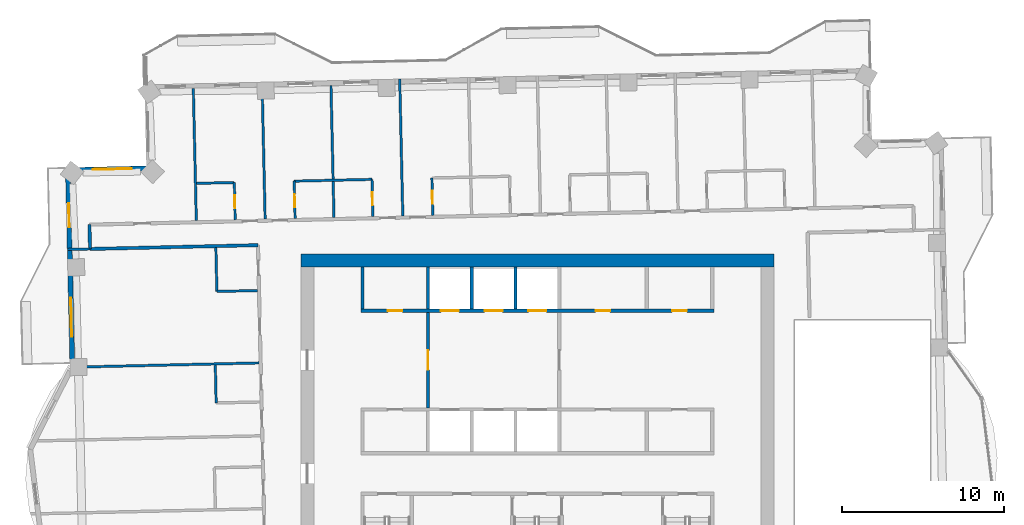
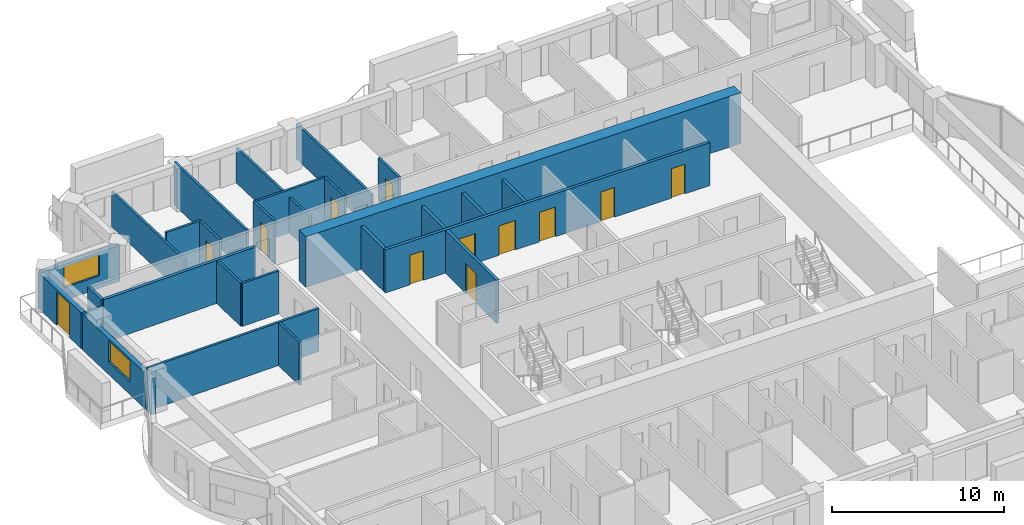
# One storey, part 10 of 17: 26 walls, 12 doors, 2 windows, 14 openings.
"""IFC4 building model written with IfcOpenShell, lengths in metres."""

from ifc_helpers import new_model, si_unit, direction, frame, frame_2d, origin, place, context, subcontext, project, spatial, rectangle, extrude, material, layer, layer_set, type_object, element, fill, save


model = new_model("IFC4")

# Units and contexts
model_context = context("Model", 3, precision=1e-05, world=origin(), true_north=direction((0.0, 1.0)))
body_context = subcontext(model_context, "Body", "Model", "MODEL_VIEW")
ifc_project = project(units=[si_unit("LENGTHUNIT", "METRE"), si_unit("AREAUNIT", "SQUARE_METRE"), si_unit("VOLUMEUNIT", "CUBIC_METRE"), si_unit("PLANEANGLEUNIT", "RADIAN"), si_unit("MASSUNIT", "GRAM", prefix="KILO")], contexts=[model_context])

# Site, building, storey
site_placement = place(None, origin())
site = spatial("IfcSite", under=ifc_project, at=site_placement, CompositionType="ELEMENT")
building_placement = place(site_placement, origin())
building = spatial("IfcBuilding", under=site, at=building_placement, Name="Mangrove Gate Tower", CompositionType="ELEMENT")
storey_placement = place(building_placement, frame((0.0, 0.0, 249.10009765625)))
storey = spatial("IfcBuildingStorey", under=building, at=storey_placement, Name="L63", CompositionType="ELEMENT", Elevation=249.10009765625)

# Wall, opening, door
ifc_material_1 = material(Name="Concrete C32/40", Category="concrete")
ifc_layer_1 = layer(ifc_material_1, 0.199951171875)
ifc_layer_set_1 = layer_set([ifc_layer_1], Name="Core lobby wall 200 C32/40")
wall_type_1 = type_object("IfcWallType", Name="Core lobby wall 200 C32/40", PredefinedType="STANDARD", material=ifc_layer_set_1)
wall_1_placement = place(storey_placement, frame((-6.75, 2.10009765625, 0.0), z_axis=(0.0, 0.0, 1.0), x_axis=(0.0, 1.0, 0.0)))
wall_1 = element("IfcWall", 1, at=wall_1_placement, inside=storey, type_object=wall_type_1, Name="WALL-L63-CORE-33", PredefinedType="STANDARD", context=body_context, shape_type="SweptSolid", body=[
    extrude(rectangle(XDim=5.89990234375, YDim=0.199951171875, at=frame_2d((2.949951171875, 0.0))), origin(), (0.0, 0.0, 1.0), 3.0498046875),
])
opening_1_placement = place(wall_1_placement, frame((2.35009765625, 0.0, 0.0)))
opening_1 = element("IfcOpeningElement", 2, at=opening_1_placement, cuts=wall_1, Name="Opening FL12", PredefinedType="OPENING", context=body_context, shape_type="SweptSolid", body=[
    extrude(rectangle(XDim=1.199951171875, YDim=2.10009765625, at=frame_2d((0.60009765625, 1.050048828125))), frame((0.0, 0.10986328125, 0.0), z_axis=(0.0, -1.0, 0.0), x_axis=(1.0, 0.0, 0.0)), (0.0, 0.0, 1.0), 0.219970703125),
])
ifc_material_2 = material(Name="Fire-rated steel door set", Category="steel")
door_type_1 = type_object("IfcDoorType", Name="Lobby door FD60 1200x2100", OperationType="SINGLE_SWING_LEFT", PredefinedType="DOOR", material=ifc_material_2)
door_1_placement = place(opening_1_placement, origin())
door_1 = element("IfcDoor", 3, at=door_1_placement, inside=storey, type_object=door_type_1, Name="Lobby door lift lobby partition", OperationType="SINGLE_SWING_LEFT", OverallHeight=2.10009765625, OverallWidth=1.199951171875, PredefinedType="DOOR", context=body_context, shape_type="SweptSolid", body=[
    extrude(rectangle(XDim=1.199951171875, YDim=2.10009765625, at=frame_2d((0.60009765625, 1.050048828125))), frame((0.0, 0.02490234375, 0.0), z_axis=(0.0, -1.0, 0.0), x_axis=(1.0, 0.0, 0.0)), (0.0, 0.0, 1.0), 0.050048828125),
])
fill(opening_1, door_1)

# Wall
ifc_material_3 = material(Name="Concrete C32/40", Category="concrete")
ifc_layer_2 = layer(ifc_material_3, 0.199951171875)
ifc_layer_set_2 = layer_set([ifc_layer_2], Name="Core room wall 200 C32/40")
wall_type_2 = type_object("IfcWallType", Name="Core room wall 200 C32/40", PredefinedType="STANDARD", material=ifc_layer_set_2)
wall_2_placement = place(storey_placement, frame((-10.800048828125, 8.199951171875, 0.0), z_axis=(0.0, 0.0, 1.0), x_axis=(0.0, 1.0, 0.0)))
element("IfcWall", 4, at=wall_2_placement, inside=storey, type_object=wall_type_2, Name="WALL-L63-CORE-26", PredefinedType="STANDARD", context=body_context, shape_type="SweptSolid", body=[
    extrude(rectangle(XDim=2.60009765625, YDim=0.199951171875, at=frame_2d((1.300048828125, 0.0))), origin(), (0.0, 0.0, 1.0), 3.0498046875),
])

# Wall, openings, doors
ifc_material_4 = material(Name="Concrete C60/75", Category="concrete")
ifc_layer_3 = layer(ifc_material_4, 0.199951171875)
ifc_layer_set_3 = layer_set([ifc_layer_3], Name="Core shaft wall 200 C60/75")
wall_type_3 = type_object("IfcWallType", Name="Core shaft wall 200 C60/75", PredefinedType="SHEAR", material=ifc_layer_set_3)
wall_3_placement = place(storey_placement, frame((-10.89990234375, 8.10009765625, 0.0), z_axis=(0.0, 0.0, 1.0), x_axis=(1.0, 0.0, 0.0)))
wall_3 = element("IfcWall", 5, at=wall_3_placement, inside=storey, type_object=wall_type_3, Name="WALL-L63-CORE-8", PredefinedType="SHEAR", context=body_context, shape_type="SweptSolid", body=[
    extrude(rectangle(XDim=21.7998046875, YDim=0.199951171875, at=frame_2d((10.89990234375, 0.0))), origin(), (0.0, 0.0, 1.0), 3.0498046875),
])
opening_2_placement = place(wall_3_placement, frame((4.949951171875, 0.0, 0.0)))
opening_2 = element("IfcOpeningElement", 6, at=opening_2_placement, cuts=wall_3, Name="Opening LD", PredefinedType="OPENING", context=body_context, shape_type="SweptSolid", body=[
    extrude(rectangle(XDim=1.10009765625, YDim=2.10009765625, at=frame_2d((0.550048828125, 1.050048828125))), frame((0.0, 0.10986328125, 0.0), z_axis=(0.0, -1.0, 0.0), x_axis=(1.0, 0.0, 0.0)), (0.0, 0.0, 1.0), 0.219970703125),
])
opening_3_placement = place(wall_3_placement, frame((7.64990234375, 0.0, 0.0)))
opening_3 = element("IfcOpeningElement", 7, at=opening_3_placement, cuts=wall_3, Name="Opening LD", PredefinedType="OPENING", context=body_context, shape_type="SweptSolid", body=[
    extrude(rectangle(XDim=1.10009765625, YDim=2.10009765625, at=frame_2d((0.550048828125, 1.050048828125))), frame((0.0, 0.10986328125, 0.0), z_axis=(0.0, -1.0, 0.0), x_axis=(1.0, 0.0, 0.0)), (0.0, 0.0, 1.0), 0.219970703125),
])
opening_4_placement = place(wall_3_placement, frame((10.35009765625, 0.0, 0.0)))
opening_4 = element("IfcOpeningElement", 8, at=opening_4_placement, cuts=wall_3, Name="Opening LD", PredefinedType="OPENING", context=body_context, shape_type="SweptSolid", body=[
    extrude(rectangle(XDim=1.10009765625, YDim=2.10009765625, at=frame_2d((0.550048828125, 1.050048828125))), frame((0.0, 0.10986328125, 0.0), z_axis=(0.0, -1.0, 0.0), x_axis=(1.0, 0.0, 0.0)), (0.0, 0.0, 1.0), 0.219970703125),
])
opening_5_placement = place(wall_3_placement, frame((1.675048828125, 0.0, 0.0)))
opening_5 = element("IfcOpeningElement", 9, at=opening_5_placement, cuts=wall_3, Name="Opening KD", PredefinedType="OPENING", context=body_context, shape_type="SweptSolid", body=[
    extrude(rectangle(XDim=0.89990234375, YDim=2.10009765625, at=frame_2d((0.449951171875, 1.050048828125))), frame((0.0, 0.10986328125, 0.0), z_axis=(0.0, -1.0, 0.0), x_axis=(1.0, 0.0, 0.0)), (0.0, 0.0, 1.0), 0.219970703125),
])
opening_6_placement = place(wall_3_placement, frame((14.5, 0.0, 0.0)))
opening_6 = element("IfcOpeningElement", 10, at=opening_6_placement, cuts=wall_3, Name="Opening RD", PredefinedType="OPENING", context=body_context, shape_type="SweptSolid", body=[
    extrude(rectangle(XDim=0.89990234375, YDim=2.10009765625, at=frame_2d((0.449951171875, 1.050048828125))), frame((0.0, 0.10986328125, 0.0), z_axis=(0.0, -1.0, 0.0), x_axis=(1.0, 0.0, 0.0)), (0.0, 0.0, 1.0), 0.219970703125),
])
opening_7_placement = place(wall_3_placement, frame((19.22509765625, 0.0, 0.0)))
opening_7 = element("IfcOpeningElement", 11, at=opening_7_placement, cuts=wall_3, Name="Opening RD", PredefinedType="OPENING", context=body_context, shape_type="SweptSolid", body=[
    extrude(rectangle(XDim=0.89990234375, YDim=2.10009765625, at=frame_2d((0.449951171875, 1.050048828125))), frame((0.0, 0.10986328125, 0.0), z_axis=(0.0, -1.0, 0.0), x_axis=(1.0, 0.0, 0.0)), (0.0, 0.0, 1.0), 0.219970703125),
])
ifc_material_5 = material(Name="Fire-rated steel door set", Category="steel")
door_type_2 = type_object("IfcDoorType", Name="Core room door FD30S 900x2100", OperationType="SINGLE_SWING_RIGHT", PredefinedType="DOOR", material=ifc_material_5)
door_2_placement = place(opening_5_placement, origin())
door_2 = element("IfcDoor", 12, at=door_2_placement, inside=storey, type_object=door_type_2, Name="Core room door Linen store", OperationType="SINGLE_SWING_RIGHT", OverallHeight=2.10009765625, OverallWidth=0.89990234375, PredefinedType="DOOR", context=body_context, shape_type="SweptSolid", body=[
    extrude(rectangle(XDim=0.89990234375, YDim=2.10009765625, at=frame_2d((0.449951171875, 1.050048828125))), frame((0.0, 0.02490234375, 0.0), z_axis=(0.0, -1.0, 0.0), x_axis=(1.0, 0.0, 0.0)), (0.0, 0.0, 1.0), 0.050048828125),
])
fill(opening_5, door_2)
ifc_material_6 = material(Name="Stainless steel 316", Category="steel")
door_type_3 = type_object("IfcDoorType", Name="Lift landing door 1100x2100", OperationType="SLIDING_TO_LEFT", PredefinedType="DOOR", material=ifc_material_6)
door_3_placement = place(opening_2_placement, origin())
door_3 = element("IfcDoor", 13, at=door_3_placement, inside=storey, type_object=door_type_3, Name="Landing door LD H04", OperationType="SLIDING_TO_LEFT", OverallHeight=2.10009765625, OverallWidth=1.10009765625, PredefinedType="DOOR", context=body_context, shape_type="SweptSolid", body=[
    extrude(rectangle(XDim=1.10009765625, YDim=2.10009765625, at=frame_2d((0.550048828125, 1.050048828125))), frame((0.0, 0.02490234375, 0.0), z_axis=(0.0, -1.0, 0.0), x_axis=(1.0, 0.0, 0.0)), (0.0, 0.0, 1.0), 0.050048828125),
])
fill(opening_2, door_3)
door_4_placement = place(opening_3_placement, origin())
door_4 = element("IfcDoor", 14, at=door_4_placement, inside=storey, type_object=door_type_3, Name="Landing door LD H05", OperationType="SLIDING_TO_LEFT", OverallHeight=2.10009765625, OverallWidth=1.10009765625, PredefinedType="DOOR", context=body_context, shape_type="SweptSolid", body=[
    extrude(rectangle(XDim=1.10009765625, YDim=2.10009765625, at=frame_2d((0.550048828125, 1.050048828125))), frame((0.0, 0.02490234375, 0.0), z_axis=(0.0, -1.0, 0.0), x_axis=(1.0, 0.0, 0.0)), (0.0, 0.0, 1.0), 0.050048828125),
])
fill(opening_3, door_4)
door_5_placement = place(opening_4_placement, origin())
door_5 = element("IfcDoor", 15, at=door_5_placement, inside=storey, type_object=door_type_3, Name="Landing door LD H06", OperationType="SLIDING_TO_LEFT", OverallHeight=2.10009765625, OverallWidth=1.10009765625, PredefinedType="DOOR", context=body_context, shape_type="SweptSolid", body=[
    extrude(rectangle(XDim=1.10009765625, YDim=2.10009765625, at=frame_2d((0.550048828125, 1.050048828125))), frame((0.0, 0.02490234375, 0.0), z_axis=(0.0, -1.0, 0.0), x_axis=(1.0, 0.0, 0.0)), (0.0, 0.0, 1.0), 0.050048828125),
])
fill(opening_4, door_5)
ifc_material_7 = material(Name="Fire-rated steel door set", Category="steel")
door_type_4 = type_object("IfcDoorType", Name="Riser door FD30S 900x2100", OperationType="SINGLE_SWING_LEFT", PredefinedType="DOOR", material=ifc_material_7)
door_6_placement = place(opening_6_placement, origin())
door_6 = element("IfcDoor", 16, at=door_6_placement, inside=storey, type_object=door_type_4, Name="Riser door Switch room", OperationType="SINGLE_SWING_LEFT", OverallHeight=2.10009765625, OverallWidth=0.89990234375, PredefinedType="DOOR", context=body_context, shape_type="SweptSolid", body=[
    extrude(rectangle(XDim=0.89990234375, YDim=2.10009765625, at=frame_2d((0.449951171875, 1.050048828125))), frame((0.0, 0.02490234375, 0.0), z_axis=(0.0, -1.0, 0.0), x_axis=(1.0, 0.0, 0.0)), (0.0, 0.0, 1.0), 0.050048828125),
])
fill(opening_6, door_6)
door_7_placement = place(opening_7_placement, origin())
door_7 = element("IfcDoor", 17, at=door_7_placement, inside=storey, type_object=door_type_4, Name="Riser door Comms room", OperationType="SINGLE_SWING_LEFT", OverallHeight=2.10009765625, OverallWidth=0.89990234375, PredefinedType="DOOR", context=body_context, shape_type="SweptSolid", body=[
    extrude(rectangle(XDim=0.89990234375, YDim=2.10009765625, at=frame_2d((0.449951171875, 1.050048828125))), frame((0.0, 0.02490234375, 0.0), z_axis=(0.0, -1.0, 0.0), x_axis=(1.0, 0.0, 0.0)), (0.0, 0.0, 1.0), 0.050048828125),
])
fill(opening_7, door_7)

# Walls
for number, where, z_axis, x_axis, name in (
    (18, (-6.75, 8.199951171875, 0.0), (0.0, 0.0, 1.0), (0.0, 1.0, 0.0), "WALL-L63-CORE-27"),
    (19, (-4.050048828125, 8.199951171875, 0.0), (0.0, 0.0, 1.0), (0.0, 1.0, 0.0), "WALL-L63-CORE-28"),
    (20, (-1.35009765625, 8.199951171875, 0.0), (0.0, 0.0, 1.0), (0.0, 1.0, 0.0), "WALL-L63-CORE-29"),
):
    element("IfcWall", number, at=place(storey_placement, frame(where, z_axis=z_axis, x_axis=x_axis)), inside=storey, type_object=wall_type_3, Name=name, PredefinedType="SHEAR", context=body_context, shape_type="SweptSolid", body=[
        extrude(rectangle(XDim=2.60009765625, YDim=0.199951171875, at=frame_2d((1.300048828125, 0.0))), origin(), (0.0, 0.0, 1.0), 3.0498046875),
    ])
ifc_material_8 = material(Name="Concrete C60/75", Category="concrete")
ifc_layer_4 = layer(ifc_material_8, 0.800048828125)
ifc_layer_set_4 = layer_set([ifc_layer_4], Name="Core wall 800 C60/75")
wall_type_4 = type_object("IfcWallType", Name="Core wall 800 C60/75", PredefinedType="SHEAR", material=ifc_layer_set_4)
wall_4_placement = place(storey_placement, frame((-14.60009765625, 11.199951171875, 0.0), z_axis=(0.0, 0.0, 1.0), x_axis=(1.0, 0.0, 0.0)))
element("IfcWall", 21, at=wall_4_placement, inside=storey, type_object=wall_type_4, Name="WALL-L63-CORE-2", PredefinedType="SHEAR", context=body_context, shape_type="SweptSolid", body=[
    extrude(rectangle(XDim=29.2001953125, YDim=0.800048828125, at=frame_2d((14.60009765625, 0.0))), origin(), (0.0, 0.0, 1.0), 3.599853515625),
])
ifc_material_9 = material(Name="Gypsum board on steel stud, EI 60", Category="steel")
ifc_layer_5 = layer(ifc_material_9, 0.199951171875)
ifc_layer_set_5 = layer_set([ifc_layer_5], Name="Corridor wall EI 60")
wall_type_5 = type_object("IfcWallType", Name="Corridor wall EI 60", PredefinedType="PARTITIONING", material=ifc_layer_set_5)
wall_5_placement = place(storey_placement, frame((-27.617919921875, 11.9130859375, 0.0), z_axis=(0.0, 0.0, 1.0), x_axis=(0.999741483035, 0.022736910479, 0.0)))
element("IfcWall", 22, at=wall_5_placement, inside=storey, type_object=wall_type_5, Name="WALL-L63-053", PredefinedType="PARTITIONING", context=body_context, shape_type="SweptSolid", body=[
    extrude(rectangle(XDim=10.37255859375, YDim=0.199951171875, at=frame_2d((5.186279296875, 0.0))), origin(), (0.0, 0.0, 1.0), 3.0498046875),
])
wall_6_placement = place(storey_placement, frame((-27.614013671875, 11.9130859375, 0.0), z_axis=(0.0, 0.0, 1.0), x_axis=(-0.022617910375, 0.999744182344, 0.0)))
element("IfcWall", 23, at=wall_6_placement, inside=storey, type_object=wall_type_5, Name="WALL-L63-054", PredefinedType="PARTITIONING", context=body_context, shape_type="SweptSolid", body=[
    extrude(rectangle(XDim=1.50048828125, YDim=0.199951171875, at=frame_2d((0.750244140625, 0.0))), origin(), (0.0, 0.0, 1.0), 3.0498046875),
])

# Wall, opening, window
ifc_material_10 = material(Name="Limestone", Category="masonry")
ifc_layer_6 = layer(ifc_material_10, 0.0400390625, Name="Limestone cladding")
ifc_material_11 = material(Name="Ventilated air gap")
ifc_layer_7 = layer(ifc_material_11, 0.0400390625, Name="Ventilated cavity")
ifc_material_12 = material(Name="Mineral wool insulation")
ifc_layer_8 = layer(ifc_material_12, 0.06005859375, Name="Insulation")
ifc_material_13 = material(Name="Breather membrane")
ifc_layer_9 = layer(ifc_material_13, 0.001953125, Name="Breather membrane")
ifc_material_14 = material(Name="Concrete C20/25 blockwork", Category="masonry")
ifc_layer_10 = layer(ifc_material_14, 0.14990234375, Name="Blockwork backing wall")
ifc_material_15 = material(Name="Gypsum plaster")
ifc_layer_11 = layer(ifc_material_15, 0.008056640625, Name="Internal plaster")
ifc_layer_set_6 = layer_set([ifc_layer_6, ifc_layer_7, ifc_layer_8, ifc_layer_9, ifc_layer_10, ifc_layer_11], Name="External wall 300 limestone cladding")
wall_type_6 = type_object("IfcWallType", Name="External wall 300 limestone cladding", PredefinedType="SOLIDWALL", material=ifc_layer_set_6)
wall_7_placement = place(storey_placement, frame((-23.64501953125, 16.905029296875, 0.0), z_axis=(0.0, 0.0, 1.0), x_axis=(-0.999742402201, -0.022696458783, 0.0)))
wall_7 = element("IfcWall", 24, at=wall_7_placement, inside=storey, type_object=wall_type_6, Name="WALL-L63-N7s1", PredefinedType="SOLIDWALL", context=body_context, shape_type="SweptSolid", body=[
    extrude(rectangle(XDim=5.33544921875, YDim=0.300048828125, at=frame_2d((2.667724609375, 0.0))), origin(), (0.0, 0.0, 1.0), 2.5498046875),
])
opening_8_placement = place(wall_7_placement, frame((1.39794921875, 0.0, 0.89990234375)))
opening_8 = element("IfcOpeningElement", 25, at=opening_8_placement, cuts=wall_7, Name="Opening W2", PredefinedType="OPENING", context=body_context, shape_type="SweptSolid", body=[
    extrude(rectangle(XDim=2.39990234375, YDim=1.5, at=frame_2d((1.199951171875, 0.75))), frame((0.0, 0.159912109375, 0.0), z_axis=(0.0, -1.0, 0.0), x_axis=(1.0, 0.0, 0.0)), (0.0, 0.0, 1.0), 0.320068359375),
])
ifc_material_16 = material(Name="Aluminium frame with double-glazed low-e glass", Category="aluminium")
window_type = type_object("IfcWindowType", Name="Corner room window 2400x1500", PartitioningType="DOUBLE_PANEL_VERTICAL", PredefinedType="WINDOW", material=ifc_material_16)
window_1_placement = place(opening_8_placement, origin())
window_1 = element("IfcWindow", 26, at=window_1_placement, inside=storey, type_object=window_type, Name="WIN-L63-N7-1", OverallHeight=1.5, OverallWidth=2.39990234375, PartitioningType="DOUBLE_PANEL_VERTICAL", PredefinedType="WINDOW", context=body_context, shape_type="SweptSolid", body=[
    extrude(rectangle(XDim=2.39990234375, YDim=1.5, at=frame_2d((1.199951171875, 0.75))), frame((0.0, 0.030029296875, 0.0), z_axis=(0.0, -1.0, 0.0), x_axis=(1.0, 0.0, 0.0)), (0.0, 0.0, 1.0), 0.06005859375),
])
fill(opening_8, window_1)

# Wall, openings, door, window
wall_8_placement = place(storey_placement, frame((-28.97900390625, 16.783935546875, 0.0), z_axis=(0.0, 0.0, 1.0), x_axis=(0.022685159264, -0.999742658662, 0.0)))
wall_8 = element("IfcWall", 27, at=wall_8_placement, inside=storey, type_object=wall_type_6, Name="WALL-L63-W8s1", PredefinedType="SOLIDWALL", context=body_context, shape_type="SweptSolid", body=[
    extrude(rectangle(XDim=12.69921875, YDim=0.300048828125, at=frame_2d((6.349609375, 0.0))), origin(), (0.0, 0.0, 1.0), 2.5498046875),
])
opening_9_placement = place(wall_8_placement, frame((2.034912109375, 0.0, 0.0)))
opening_9 = element("IfcOpeningElement", 28, at=opening_9_placement, cuts=wall_8, Name="Opening BD1", PredefinedType="OPENING", context=body_context, shape_type="SweptSolid", body=[
    extrude(rectangle(XDim=1.5, YDim=2.39990234375, at=frame_2d((0.75, 1.199951171875))), frame((0.0, 0.159912109375, 0.0), z_axis=(0.0, -1.0, 0.0), x_axis=(1.0, 0.0, 0.0)), (0.0, 0.0, 1.0), 0.320068359375),
])
opening_10_placement = place(wall_8_placement, frame((7.89404296875, 0.0, 0.89990234375)))
opening_10 = element("IfcOpeningElement", 29, at=opening_10_placement, cuts=wall_8, Name="Opening W2", PredefinedType="OPENING", context=body_context, shape_type="SweptSolid", body=[
    extrude(rectangle(XDim=2.39990234375, YDim=1.5, at=frame_2d((1.199951171875, 0.75))), frame((0.0, 0.159912109375, 0.0), z_axis=(0.0, -1.0, 0.0), x_axis=(1.0, 0.0, 0.0)), (0.0, 0.0, 1.0), 0.320068359375),
])
ifc_material_17 = material(Name="Aluminium frame with laminated clear glass", Category="aluminium")
door_type_5 = type_object("IfcDoorType", Name="Balcony sliding door 1500x2400", OperationType="SLIDING_TO_LEFT", PredefinedType="DOOR", material=ifc_material_17)
door_8_placement = place(opening_9_placement, origin())
door_8 = element("IfcDoor", 30, at=door_8_placement, inside=storey, type_object=door_type_5, Name="DOOR-L63-W8-1", OperationType="SLIDING_TO_LEFT", OverallHeight=2.39990234375, OverallWidth=1.5, PredefinedType="DOOR", context=body_context, shape_type="SweptSolid", body=[
    extrude(rectangle(XDim=1.5, YDim=2.39990234375, at=frame_2d((0.75, 1.199951171875))), frame((0.0, 0.02490234375, 0.0), z_axis=(0.0, -1.0, 0.0), x_axis=(1.0, 0.0, 0.0)), (0.0, 0.0, 1.0), 0.050048828125),
])
fill(opening_9, door_8)
window_2_placement = place(opening_10_placement, origin())
window_2 = element("IfcWindow", 31, at=window_2_placement, inside=storey, type_object=window_type, Name="WIN-L63-W8-2", OverallHeight=1.5, OverallWidth=2.39990234375, PartitioningType="DOUBLE_PANEL_VERTICAL", PredefinedType="WINDOW", context=body_context, shape_type="SweptSolid", body=[
    extrude(rectangle(XDim=2.39990234375, YDim=1.5, at=frame_2d((1.199951171875, 0.75))), frame((0.0, 0.030029296875, 0.0), z_axis=(0.0, -1.0, 0.0), x_axis=(1.0, 0.0, 0.0)), (0.0, 0.0, 1.0), 0.06005859375),
])
fill(opening_10, window_2)

# Walls
ifc_material_18 = material(Name="Gypsum board on steel stud, EI 60", Category="steel")
ifc_layer_12 = layer(ifc_material_18, 0.14990234375)
ifc_layer_set_7 = layer_set([ifc_layer_12], Name="Party wall 150 EI 60")
wall_type_7 = type_object("IfcWallType", Name="Party wall 150 EI 60", PredefinedType="PARTITIONING", material=ifc_layer_set_7)
wall_9_placement = place(storey_placement, frame((-19.826904296875, 2.4130859375, 0.0), z_axis=(0.0, 0.0, 1.0), x_axis=(-0.02279059109, 0.999740260747, 0.0)))
element("IfcWall", 32, at=wall_9_placement, inside=storey, type_object=wall_type_7, Name="WALL-L63-047", PredefinedType="PARTITIONING", context=body_context, shape_type="SweptSolid", body=[
    extrude(rectangle(XDim=2.324462890625, YDim=0.14990234375, at=frame_2d((1.162109375, 0.0))), origin(), (0.0, 0.0, 1.0), 3.0498046875),
])
wall_10_placement = place(storey_placement, frame((-28.85302734375, 4.613037109375, 0.0), z_axis=(0.0, 0.0, 1.0), x_axis=(0.999742483, 0.022692899457, 0.0)))
element("IfcWall", 33, at=wall_10_placement, inside=storey, type_object=wall_type_7, Name="WALL-L63-048", PredefinedType="PARTITIONING", context=body_context, shape_type="SweptSolid", body=[
    extrude(rectangle(XDim=11.6728515625, YDim=0.14990234375, at=frame_2d((5.83642578125, 0.0))), origin(), (0.0, 0.0, 1.0), 3.0498046875),
])
wall_11_placement = place(storey_placement, frame((-19.783935546875, 9.2900390625, 0.0), z_axis=(0.0, 0.0, 1.0), x_axis=(0.999741028149, 0.022756903044, 0.0)))
element("IfcWall", 34, at=wall_11_placement, inside=storey, type_object=wall_type_7, Name="WALL-L63-050", PredefinedType="PARTITIONING", context=body_context, shape_type="SweptSolid", body=[
    extrude(rectangle(XDim=2.499755859375, YDim=0.14990234375, at=frame_2d((1.25, 0.0))), origin(), (0.0, 0.0, 1.0), 3.0498046875),
])
wall_12_placement = place(storey_placement, frame((-19.782958984375, 9.2900390625, 0.0), z_axis=(0.0, 0.0, 1.0), x_axis=(-0.022600248254, 0.99974458177, 0.0)))
element("IfcWall", 35, at=wall_12_placement, inside=storey, type_object=wall_type_7, Name="WALL-L63-051", PredefinedType="PARTITIONING", context=body_context, shape_type="SweptSolid", body=[
    extrude(rectangle(XDim=2.70068359375, YDim=0.14990234375, at=frame_2d((1.350341796875, 0.0))), origin(), (0.0, 0.0, 1.0), 3.0498046875),
])
wall_13_placement = place(storey_placement, frame((-29.01806640625, 11.881103515625, 0.0), z_axis=(0.0, 0.0, 1.0), x_axis=(0.999740667531, 0.022772739949, 0.0)))
element("IfcWall", 36, at=wall_13_placement, inside=storey, type_object=wall_type_7, Name="WALL-L63-052", PredefinedType="PARTITIONING", context=body_context, shape_type="SweptSolid", body=[
    extrude(rectangle(XDim=1.404296875, YDim=0.14990234375, at=frame_2d((0.7021484375, 0.0))), origin(), (0.0, 0.0, 1.0), 2.5498046875),
])
wall_14_placement = place(storey_placement, frame((-21.052001953125, 13.6630859375, 0.0), z_axis=(0.0, 0.0, 1.0), x_axis=(-0.022706435224, 0.999742175663, 0.0)))
element("IfcWall", 37, at=wall_14_placement, inside=storey, type_object=wall_type_7, Name="WALL-L63-059", PredefinedType="PARTITIONING", context=body_context, shape_type="SweptSolid", body=[
    extrude(rectangle(XDim=8.150146484375, YDim=0.14990234375, at=frame_2d((4.0751953125, 0.0))), origin(), (0.0, 0.0, 1.0), 2.5),
])

# Wall, opening, door
wall_15_placement = place(storey_placement, frame((-18.653076171875, 13.717041015625, 0.0), z_axis=(0.0, 0.0, 1.0), x_axis=(-0.022612884682, 0.999744296031, 0.0)))
wall_15 = element("IfcWall", 38, at=wall_15_placement, inside=storey, type_object=wall_type_7, Name="WALL-L63-060", PredefinedType="PARTITIONING", context=body_context, shape_type="SweptSolid", body=[
    extrude(rectangle(XDim=2.299560546875, YDim=0.14990234375, at=frame_2d((1.14990234375, 0.0))), origin(), (0.0, 0.0, 1.0), 3.0498046875),
])
opening_11_placement = place(wall_15_placement, frame((0.699951171875, 0.0, 0.0)))
opening_11 = element("IfcOpeningElement", 39, at=opening_11_placement, cuts=wall_15, Name="Opening ED", PredefinedType="OPENING", context=body_context, shape_type="SweptSolid", body=[
    extrude(rectangle(XDim=0.800048828125, YDim=2.10009765625, at=frame_2d((0.39990234375, 1.050048828125))), frame((0.0, 0.0849609375, 0.0), z_axis=(0.0, -1.0, 0.0), x_axis=(1.0, 0.0, 0.0)), (0.0, 0.0, 1.0), 0.169921875),
])
ifc_material_19 = material(Name="Timber door leaf", Category="wood")
door_type_6 = type_object("IfcDoorType", Name="En-suite door 800", OperationType="SINGLE_SWING_LEFT", PredefinedType="DOOR", material=ifc_material_19)
door_9_placement = place(opening_11_placement, origin())
door_9 = element("IfcDoor", 40, at=door_9_placement, inside=storey, type_object=door_type_6, Name="DOOR-L63-ENS-c517", OperationType="SINGLE_SWING_LEFT", OverallHeight=2.10009765625, OverallWidth=0.800048828125, PredefinedType="DOOR", context=body_context, shape_type="SweptSolid", body=[
    extrude(rectangle(XDim=0.800048828125, YDim=2.10009765625, at=frame_2d((0.39990234375, 1.050048828125))), frame((0.0, 0.02490234375, 0.0), z_axis=(0.0, -1.0, 0.0), x_axis=(1.0, 0.0, 0.0)), (0.0, 0.0, 1.0), 0.050048828125),
])
fill(opening_11, door_9)

# Wall
wall_16_placement = place(storey_placement, frame((-16.803955078125, 13.759033203125, 0.0), z_axis=(0.0, 0.0, 1.0), x_axis=(-0.022586673637, 0.999744888546, 0.0)))
element("IfcWall", 41, at=wall_16_placement, inside=storey, type_object=wall_type_7, Name="WALL-L63-061", PredefinedType="PARTITIONING", context=body_context, shape_type="SweptSolid", body=[
    extrude(rectangle(XDim=8.150146484375, YDim=0.14990234375, at=frame_2d((4.0751953125, 0.0))), origin(), (0.0, 0.0, 1.0), 3.0498046875),
])

# Wall, opening, door
wall_17_placement = place(storey_placement, frame((-14.9541015625, 13.801025390625, 0.0), z_axis=(0.0, 0.0, 1.0), x_axis=(-0.022612884682, 0.999744296031, 0.0)))
wall_17 = element("IfcWall", 42, at=wall_17_placement, inside=storey, type_object=wall_type_7, Name="WALL-L63-062", PredefinedType="PARTITIONING", context=body_context, shape_type="SweptSolid", body=[
    extrude(rectangle(XDim=2.299560546875, YDim=0.14990234375, at=frame_2d((1.14990234375, 0.0))), origin(), (0.0, 0.0, 1.0), 3.0498046875),
])
opening_12_placement = place(wall_17_placement, frame((0.699951171875, 0.0, 0.0)))
opening_12 = element("IfcOpeningElement", 43, at=opening_12_placement, cuts=wall_17, Name="Opening ED", PredefinedType="OPENING", context=body_context, shape_type="SweptSolid", body=[
    extrude(rectangle(XDim=0.800048828125, YDim=2.10009765625, at=frame_2d((0.39990234375, 1.050048828125))), frame((0.0, 0.0849609375, 0.0), z_axis=(0.0, -1.0, 0.0), x_axis=(1.0, 0.0, 0.0)), (0.0, 0.0, 1.0), 0.169921875),
])
door_10_placement = place(opening_12_placement, origin())
door_10 = element("IfcDoor", 44, at=door_10_placement, inside=storey, type_object=door_type_6, Name="DOOR-L63-ENS-c516", OperationType="SINGLE_SWING_RIGHT", OverallHeight=2.10009765625, OverallWidth=0.800048828125, PredefinedType="DOOR", context=body_context, shape_type="SweptSolid", body=[
    extrude(rectangle(XDim=0.800048828125, YDim=2.10009765625, at=frame_2d((0.39990234375, 1.050048828125))), frame((0.0, 0.02490234375, 0.0), z_axis=(0.0, -1.0, 0.0), x_axis=(1.0, 0.0, 0.0)), (0.0, 0.0, 1.0), 0.050048828125),
])
fill(opening_12, door_10)

# Wall
wall_18_placement = place(storey_placement, frame((-12.554931640625, 13.85498046875, 0.0), z_axis=(0.0, 0.0, 1.0), x_axis=(-0.022706435224, 0.999742175663, 0.0)))
element("IfcWall", 45, at=wall_18_placement, inside=storey, type_object=wall_type_7, Name="WALL-L63-063", PredefinedType="PARTITIONING", context=body_context, shape_type="SweptSolid", body=[
    extrude(rectangle(XDim=8.150146484375, YDim=0.14990234375, at=frame_2d((4.0751953125, 0.0))), origin(), (0.0, 0.0, 1.0), 2.5),
])

# Wall, opening, door
wall_19_placement = place(storey_placement, frame((-10.155029296875, 13.909912109375, 0.0), z_axis=(0.0, 0.0, 1.0), x_axis=(-0.022612884682, 0.999744296031, 0.0)))
wall_19 = element("IfcWall", 46, at=wall_19_placement, inside=storey, type_object=wall_type_7, Name="WALL-L63-064", PredefinedType="PARTITIONING", context=body_context, shape_type="SweptSolid", body=[
    extrude(rectangle(XDim=2.299560546875, YDim=0.14990234375, at=frame_2d((1.14990234375, 0.0))), origin(), (0.0, 0.0, 1.0), 3.0498046875),
])
opening_13_placement = place(wall_19_placement, frame((0.699951171875, 0.0, 0.0)))
opening_13 = element("IfcOpeningElement", 47, at=opening_13_placement, cuts=wall_19, Name="Opening ED", PredefinedType="OPENING", context=body_context, shape_type="SweptSolid", body=[
    extrude(rectangle(XDim=0.800048828125, YDim=2.10009765625, at=frame_2d((0.39990234375, 1.050048828125))), frame((0.0, 0.0849609375, 0.0), z_axis=(0.0, -1.0, 0.0), x_axis=(1.0, 0.0, 0.0)), (0.0, 0.0, 1.0), 0.169921875),
])
door_11_placement = place(opening_13_placement, origin())
door_11 = element("IfcDoor", 48, at=door_11_placement, inside=storey, type_object=door_type_6, Name="DOOR-L63-ENS-c515", OperationType="SINGLE_SWING_LEFT", OverallHeight=2.10009765625, OverallWidth=0.800048828125, PredefinedType="DOOR", context=body_context, shape_type="SweptSolid", body=[
    extrude(rectangle(XDim=0.800048828125, YDim=2.10009765625, at=frame_2d((0.39990234375, 1.050048828125))), frame((0.0, 0.02490234375, 0.0), z_axis=(0.0, -1.0, 0.0), x_axis=(1.0, 0.0, 0.0)), (0.0, 0.0, 1.0), 0.050048828125),
])
fill(opening_13, door_11)

# Wall
wall_20_placement = place(storey_placement, frame((-8.305908203125, 13.951904296875, 0.0), z_axis=(0.0, 0.0, 1.0), x_axis=(-0.022622304913, 0.999744082913, 0.0)))
element("IfcWall", 49, at=wall_20_placement, inside=storey, type_object=wall_type_7, Name="WALL-L63-065", PredefinedType="PARTITIONING", context=body_context, shape_type="SweptSolid", body=[
    extrude(rectangle(XDim=8.4501953125, YDim=0.14990234375, at=frame_2d((4.22509765625, 0.0))), origin(), (0.0, 0.0, 1.0), 2.5),
])

# Wall, opening, door
wall_21_placement = place(storey_placement, frame((-6.4560546875, 13.993896484375, 0.0), z_axis=(0.0, 0.0, 1.0), x_axis=(-0.022612884682, 0.999744296031, 0.0)))
wall_21 = element("IfcWall", 50, at=wall_21_placement, inside=storey, type_object=wall_type_7, Name="WALL-L63-066", PredefinedType="PARTITIONING", context=body_context, shape_type="SweptSolid", body=[
    extrude(rectangle(XDim=2.299560546875, YDim=0.14990234375, at=frame_2d((1.14990234375, 0.0))), origin(), (0.0, 0.0, 1.0), 3.0498046875),
])
opening_14_placement = place(wall_21_placement, frame((0.699951171875, 0.0, 0.0)))
opening_14 = element("IfcOpeningElement", 51, at=opening_14_placement, cuts=wall_21, Name="Opening ED", PredefinedType="OPENING", context=body_context, shape_type="SweptSolid", body=[
    extrude(rectangle(XDim=0.800048828125, YDim=2.10009765625, at=frame_2d((0.39990234375, 1.050048828125))), frame((0.0, 0.0849609375, 0.0), z_axis=(0.0, -1.0, 0.0), x_axis=(1.0, 0.0, 0.0)), (0.0, 0.0, 1.0), 0.169921875),
])
door_12_placement = place(opening_14_placement, origin())
door_12 = element("IfcDoor", 52, at=door_12_placement, inside=storey, type_object=door_type_6, Name="DOOR-L63-ENS-c414", OperationType="SINGLE_SWING_RIGHT", OverallHeight=2.10009765625, OverallWidth=0.800048828125, PredefinedType="DOOR", context=body_context, shape_type="SweptSolid", body=[
    extrude(rectangle(XDim=0.800048828125, YDim=2.10009765625, at=frame_2d((0.39990234375, 1.050048828125))), frame((0.0, 0.02490234375, 0.0), z_axis=(0.0, -1.0, 0.0), x_axis=(1.0, 0.0, 0.0)), (0.0, 0.0, 1.0), 0.050048828125),
])
fill(opening_14, door_12)

# Walls
wall_22_placement = place(storey_placement, frame((-21.033935546875, 15.964111328125, 0.0), z_axis=(0.0, 0.0, 1.0), x_axis=(0.999749954681, 0.022361308448, 0.0)))
element("IfcWall", 53, at=wall_22_placement, inside=storey, type_object=wall_type_7, Name="WALL-L63-078", PredefinedType="PARTITIONING", context=body_context, shape_type="SweptSolid", body=[
    extrude(rectangle(XDim=2.325439453125, YDim=0.14990234375, at=frame_2d((1.16259765625, 0.0))), origin(), (0.0, 0.0, 1.0), 3.0498046875),
])
wall_23_placement = place(storey_placement, frame((-15.010009765625, 16.10009765625, 0.0), z_axis=(0.0, 0.0, 1.0), x_axis=(0.999742701292, 0.022683280499, 0.0)))
element("IfcWall", 54, at=wall_23_placement, inside=storey, type_object=wall_type_7, Name="WALL-L63-079", PredefinedType="PARTITIONING", context=body_context, shape_type="SweptSolid", body=[
    extrude(rectangle(XDim=4.80029296875, YDim=0.14990234375, at=frame_2d((2.400146484375, 0.0))), origin(), (0.0, 0.0, 1.0), 3.0498046875),
])

save(model, "model.ifc")
